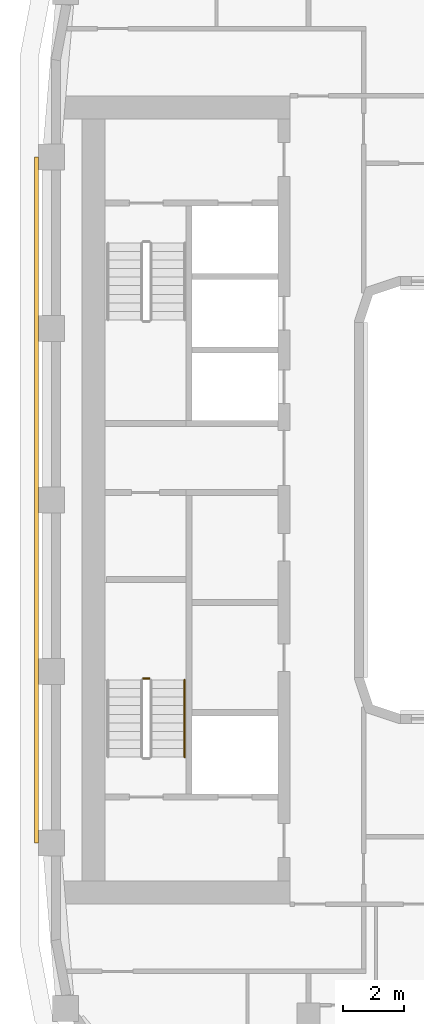
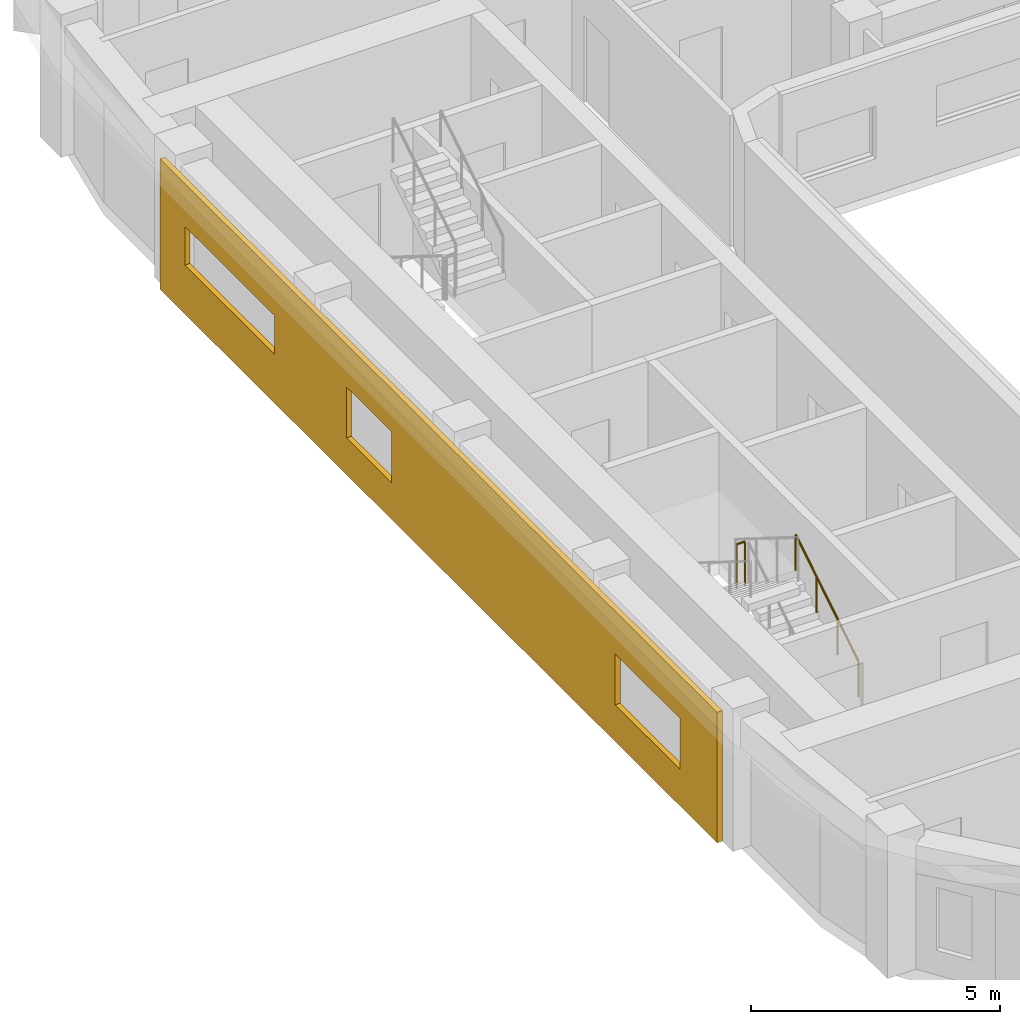
# One storey, part 12 of 21: 2 railings, 1 covering.
"""IFC4 building model written with IfcOpenShell, lengths in metres."""

from ifc_helpers import new_model, si_unit, direction, frame, origin, origin_2d, place, context, subcontext, project, spatial, polyline, circle, outline, extrude, material, layer, layer_set, type_object, element, save


model = new_model("IFC4")

# Units and contexts
model_context = context("Model", 3, precision=1e-05, world=origin(), true_north=direction((0.0, 1.0)))
body_context = subcontext(model_context, "Body", "Model", "MODEL_VIEW")
ifc_project = project(units=[si_unit("LENGTHUNIT", "METRE"), si_unit("AREAUNIT", "SQUARE_METRE"), si_unit("VOLUMEUNIT", "CUBIC_METRE"), si_unit("PLANEANGLEUNIT", "RADIAN"), si_unit("MASSUNIT", "GRAM", prefix="KILO")], contexts=[model_context])

# Site, building, storey
site_placement = place(None, origin())
site = spatial("IfcSite", under=ifc_project, at=site_placement, CompositionType="ELEMENT")
building_placement = place(site_placement, origin())
building = spatial("IfcBuilding", under=site, at=building_placement, Name="Kiln Ring Residences", CompositionType="ELEMENT")
storey_placement = place(building_placement, frame((0.0, 0.0, 216.89990234375)))
storey = spatial("IfcBuildingStorey", under=building, at=storey_placement, Name="L56", CompositionType="ELEMENT", Elevation=216.89990234375)

# Railings
ifc_material_1 = material(Name="Stainless steel", Category="steel")
railing_type_1 = type_object("IfcRailingType", Name="CORE-STAIR-GUARD", PredefinedType="GUARDRAIL", material=ifc_material_1)
railing_1_placement = place(storey_placement, frame((-22.0, -5.830078125, 1.75)))
element("IfcRailing", 1, at=railing_1_placement, inside=storey, type_object=railing_type_1, Name="L56 W-STS stair guard 2", PredefinedType="GUARDRAIL", context=body_context, shape_type="SweptSolid", body=[
    extrude(circle(Radius=0.02392578125, at=origin_2d()), frame((0.0, 0.0, 1.076171875), z_axis=(-1.0, 0.0, 0.0), x_axis=(0.0, -1.0, 0.0)), (0.0, 0.0, 1.0), 0.199951171875),
    extrude(circle(Radius=0.02099609375, at=origin_2d()), origin(), (0.0, 0.0, 1.0), 1.052001953125),
    extrude(circle(Radius=0.02099609375, at=origin_2d()), frame((-0.199951171875, 0.0, 0.0)), (0.0, 0.0, 1.0), 1.052001953125),
])
ifc_material_2 = material(Name="Stainless steel", Category="steel")
railing_type_2 = type_object("IfcRailingType", Name="CORE-STAIR-HANDRAIL", PredefinedType="HANDRAIL", material=ifc_material_2)
railing_2_placement = place(storey_placement, frame((-20.85009765625, -8.39990234375, 0.175048828125)))
element("IfcRailing", 2, at=railing_2_placement, inside=storey, type_object=railing_type_2, Name="L56 W-STS stair handrail 1", PredefinedType="HANDRAIL", context=body_context, shape_type="SweptSolid", body=[
    extrude(circle(Radius=0.02392578125, at=origin_2d()), frame((0.0, 0.0, 0.8759765625), z_axis=(0.0, 0.848007534815, 0.529984170421), x_axis=(-1.0, 0.0, 0.0)), (0.0, 0.0, 1.0), 2.9716796875),
    extrude(circle(Radius=0.02099609375, at=origin_2d()), origin(), (0.0, 0.0, 1.0), 0.851806640625),
    extrude(circle(Radius=0.02099609375, at=origin_2d()), frame((0.0, 0.840087890625, 0.52490234375)), (0.0, 0.0, 1.0), 0.851806640625),
    extrude(circle(Radius=0.02099609375, at=origin_2d()), frame((0.0, 1.679931640625, 1.050048828125)), (0.0, 0.0, 1.0), 0.851806640625),
    extrude(circle(Radius=0.02099609375, at=origin_2d()), frame((0.0, 2.52001953125, 1.574951171875)), (0.0, 0.0, 1.0), 0.851806640625),
])

# Covering
ifc_material_3 = material(Name="Brick masonry, dark clay brick", Category="masonry")
ifc_layer = layer(ifc_material_3, 0.1201171875)
ifc_layer_set = layer_set([ifc_layer], Name="RAINSCREEN PANEL 120")
covering_type = type_object("IfcCoveringType", Name="RAINSCREEN PANEL 120", PredefinedType="CLADDING", material=ifc_layer_set)
covering_placement = place(storey_placement, frame((-25.68505859375, 11.199951171875, 0.0), z_axis=(0.0, 0.0, 1.0), x_axis=(0.0, -1.0, 0.0)))
element("IfcCovering", 3, at=covering_placement, inside=storey, type_object=covering_type, Name="RAINSCREEN L56", PredefinedType="CLADDING", context=body_context, shape_type="SweptSolid", body=[
    extrude(outline(polyline([(0.0, 0.0), (22.39990234375, 0.0), (22.39990234375, 3.2001953125), (0.0, 3.2001953125), (0.0, 0.0)]), holes=[polyline([(9.300048828125, 2.150146484375), (7.5, 2.150146484375), (7.5, 0.900146484375), (9.300048828125, 0.900146484375), (9.300048828125, 2.150146484375)]), polyline([(20.89990234375, 0.900146484375), (20.89990234375, 2.150146484375), (18.300048828125, 2.150146484375), (18.300048828125, 0.900146484375), (20.89990234375, 0.900146484375)]), polyline([(4.60009765625, 1.2001953125), (4.60009765625, 2.150146484375), (1.0, 2.150146484375), (1.0, 1.2001953125), (4.60009765625, 1.2001953125)])]), frame((0.0, 0.06005859375, 0.0), z_axis=(0.0, -1.0, 0.0), x_axis=(1.0, 0.0, 0.0)), (0.0, 0.0, 1.0), 0.1201171875),
])

save(model, "model.ifc")
